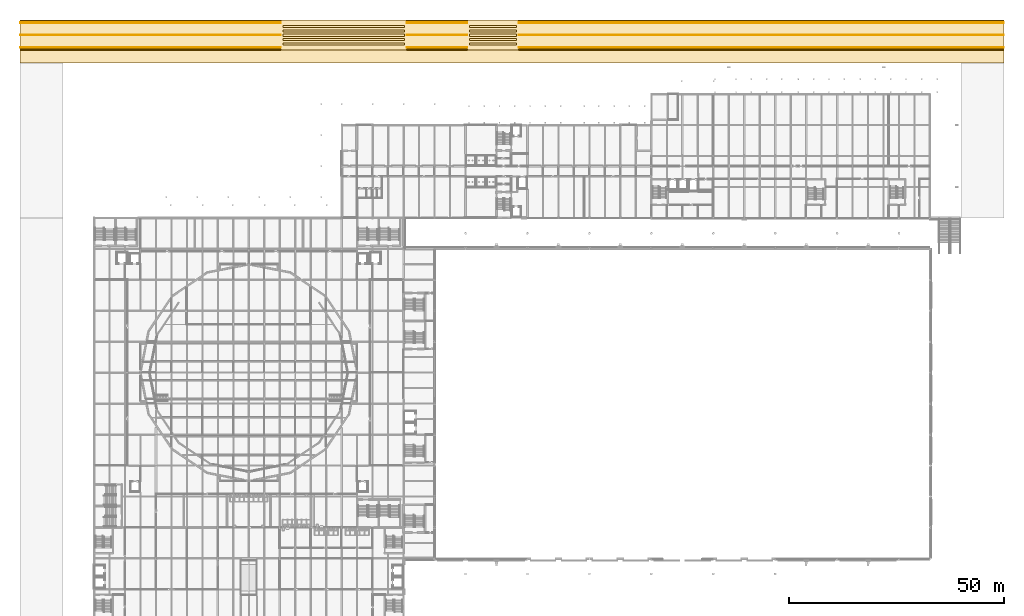
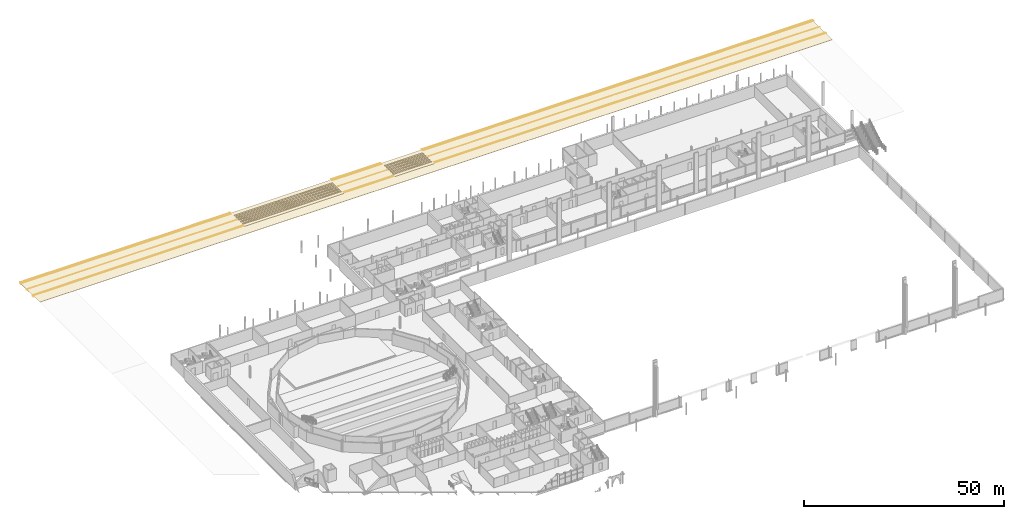
# One storey, part 87 of 90: 27 coverings.
"""IFC4 building model written with IfcOpenShell, lengths in metres."""

from ifc_helpers import new_model, si_unit, direction, frame, origin, place, context, subcontext, project, spatial, polyline, outline, extrude, material, layer, layer_set, type_object, element, save


model = new_model("IFC4")

# Units and contexts
model_context = context("Model", 3, precision=1e-05, world=origin(), true_north=direction((0.0, 1.0)))
body_context = subcontext(model_context, "Body", "Model", "MODEL_VIEW")
ifc_project = project(units=[si_unit("LENGTHUNIT", "METRE"), si_unit("AREAUNIT", "SQUARE_METRE"), si_unit("VOLUMEUNIT", "CUBIC_METRE"), si_unit("PLANEANGLEUNIT", "RADIAN"), si_unit("MASSUNIT", "GRAM", prefix="KILO")], contexts=[model_context])

# Site, building, storey
site_placement = place(None, origin())
site = spatial("IfcSite", under=ifc_project, at=site_placement, CompositionType="ELEMENT")
building_placement = place(site_placement, origin())
building = spatial("IfcBuilding", under=site, at=building_placement, Name="Kupolbacken Congress Centre", CompositionType="ELEMENT")
storey_placement = place(building_placement, frame((0.0, 0.0, 3.60009765625)))
storey = spatial("IfcBuildingStorey", under=building, at=storey_placement, Name="L01", CompositionType="ELEMENT", Elevation=3.60009765625)

# Coverings
ifc_material_1 = material(Name="Limestone cladding", Category="masonry")
ifc_layer_1 = layer(ifc_material_1, 0.02001953125)
ifc_layer_set_1 = layer_set([ifc_layer_1], Name="Limestone cladding")
covering_type_1 = type_object("IfcCoveringType", Name="GF1 limestone paving 20", PredefinedType="FLOORING", material=ifc_layer_set_1)
covering_1_placement = place(storey_placement, frame((0.0, 0.0, 3.449951171875)))
element("IfcCovering", 1, at=covering_1_placement, inside=storey, type_object=covering_type_1, Name="Street edge line", PredefinedType="FLOORING", context=body_context, shape_type="SweptSolid", body=[
    extrude(outline(polyline([(218.798095703125, 161.949951171875), (106.0, 161.949951171875), (106.0, 162.10009765625), (218.798095703125, 162.10009765625), (218.798095703125, 161.949951171875)])), origin(), (0.0, 0.0, 1.0), 0.02001953125),
])
covering_2_placement = place(storey_placement, frame((0.0, 0.0, 3.449951171875)))
element("IfcCovering", 2, at=covering_2_placement, inside=storey, type_object=covering_type_1, Name="Street edge line", PredefinedType="FLOORING", context=body_context, shape_type="SweptSolid", body=[
    extrude(outline(polyline([(79.89990234375, 161.949951171875), (79.89990234375, 162.10009765625), (94.0, 162.10009765625), (94.0, 161.949951171875), (79.89990234375, 161.949951171875)])), origin(), (0.0, 0.0, 1.0), 0.02001953125),
])
covering_3_placement = place(storey_placement, frame((0.0, 0.0, 3.449951171875)))
element("IfcCovering", 3, at=covering_3_placement, inside=storey, type_object=covering_type_1, Name="Street edge line", PredefinedType="FLOORING", context=body_context, shape_type="SweptSolid", body=[
    extrude(outline(polyline([(-9.998046875, 161.949951171875), (-9.998046875, 162.10009765625), (50.60009765625, 162.10009765625), (50.60009765625, 161.949951171875), (-9.998046875, 161.949951171875)])), origin(), (0.0, 0.0, 1.0), 0.02001953125),
])
covering_4_placement = place(storey_placement, frame((0.0, 0.0, 3.449951171875)))
element("IfcCovering", 4, at=covering_4_placement, inside=storey, type_object=covering_type_1, Name="Street edge line", PredefinedType="FLOORING", context=body_context, shape_type="SweptSolid", body=[
    extrude(outline(polyline([(218.798095703125, 167.699951171875), (106.0, 167.699951171875), (106.0, 167.85009765625), (218.798095703125, 167.85009765625), (218.798095703125, 167.699951171875)])), origin(), (0.0, 0.0, 1.0), 0.02001953125),
])
covering_5_placement = place(storey_placement, frame((0.0, 0.0, 3.449951171875)))
element("IfcCovering", 5, at=covering_5_placement, inside=storey, type_object=covering_type_1, Name="Street edge line", PredefinedType="FLOORING", context=body_context, shape_type="SweptSolid", body=[
    extrude(outline(polyline([(79.89990234375, 167.699951171875), (79.89990234375, 167.85009765625), (94.0, 167.85009765625), (94.0, 167.699951171875), (79.89990234375, 167.699951171875)])), origin(), (0.0, 0.0, 1.0), 0.02001953125),
])
covering_6_placement = place(storey_placement, frame((0.0, 0.0, 3.449951171875)))
element("IfcCovering", 6, at=covering_6_placement, inside=storey, type_object=covering_type_1, Name="Street edge line", PredefinedType="FLOORING", context=body_context, shape_type="SweptSolid", body=[
    extrude(outline(polyline([(-9.998046875, 167.699951171875), (-9.998046875, 167.85009765625), (50.60009765625, 167.85009765625), (50.60009765625, 167.699951171875), (-9.998046875, 167.699951171875)])), origin(), (0.0, 0.0, 1.0), 0.02001953125),
])
covering_7_placement = place(storey_placement, frame((0.0, 0.0, 3.449951171875)))
element("IfcCovering", 7, at=covering_7_placement, inside=storey, type_object=covering_type_1, Name="Street centre line", PredefinedType="FLOORING", context=body_context, shape_type="SweptSolid", body=[
    extrude(outline(polyline([(218.798095703125, 164.824951171875), (106.0, 164.824951171875), (106.0, 164.97509765625), (218.798095703125, 164.97509765625), (218.798095703125, 164.824951171875)])), origin(), (0.0, 0.0, 1.0), 0.02001953125),
])
covering_8_placement = place(storey_placement, frame((0.0, 0.0, 3.449951171875)))
element("IfcCovering", 8, at=covering_8_placement, inside=storey, type_object=covering_type_1, Name="Street centre line", PredefinedType="FLOORING", context=body_context, shape_type="SweptSolid", body=[
    extrude(outline(polyline([(79.89990234375, 164.824951171875), (79.89990234375, 164.97509765625), (94.0, 164.97509765625), (94.0, 164.824951171875), (79.89990234375, 164.824951171875)])), origin(), (0.0, 0.0, 1.0), 0.02001953125),
])
covering_9_placement = place(storey_placement, frame((0.0, 0.0, 3.449951171875)))
element("IfcCovering", 9, at=covering_9_placement, inside=storey, type_object=covering_type_1, Name="Street centre line", PredefinedType="FLOORING", context=body_context, shape_type="SweptSolid", body=[
    extrude(outline(polyline([(-9.998046875, 164.824951171875), (-9.998046875, 164.97509765625), (50.60009765625, 164.97509765625), (50.60009765625, 164.824951171875), (-9.998046875, 164.824951171875)])), origin(), (0.0, 0.0, 1.0), 0.02001953125),
])
covering_10_placement = place(storey_placement, frame((0.0, 0.0, 3.449951171875)))
element("IfcCovering", 10, at=covering_10_placement, inside=storey, type_object=covering_type_1, Name="Street crossing marking", PredefinedType="FLOORING", context=body_context, shape_type="SweptSolid", body=[
    extrude(outline(polyline([(79.39990234375, 162.60009765625), (51.10009765625, 162.60009765625), (51.10009765625, 163.10009765625), (79.39990234375, 163.10009765625), (79.39990234375, 162.60009765625)])), origin(), (0.0, 0.0, 1.0), 0.02001953125),
])
covering_11_placement = place(storey_placement, frame((0.0, 0.0, 3.449951171875)))
element("IfcCovering", 11, at=covering_11_placement, inside=storey, type_object=covering_type_1, Name="Street crossing marking", PredefinedType="FLOORING", context=body_context, shape_type="SweptSolid", body=[
    extrude(outline(polyline([(105.5, 162.60009765625), (94.5, 162.60009765625), (94.5, 163.10009765625), (105.5, 163.10009765625), (105.5, 162.60009765625)])), origin(), (0.0, 0.0, 1.0), 0.02001953125),
])
covering_12_placement = place(storey_placement, frame((0.0, 0.0, 3.449951171875)))
element("IfcCovering", 12, at=covering_12_placement, inside=storey, type_object=covering_type_1, Name="Street crossing marking", PredefinedType="FLOORING", context=body_context, shape_type="SweptSolid", body=[
    extrude(outline(polyline([(79.39990234375, 163.60009765625), (51.10009765625, 163.60009765625), (51.10009765625, 164.10009765625), (79.39990234375, 164.10009765625), (79.39990234375, 163.60009765625)])), origin(), (0.0, 0.0, 1.0), 0.02001953125),
])
covering_13_placement = place(storey_placement, frame((0.0, 0.0, 3.449951171875)))
element("IfcCovering", 13, at=covering_13_placement, inside=storey, type_object=covering_type_1, Name="Street crossing marking", PredefinedType="FLOORING", context=body_context, shape_type="SweptSolid", body=[
    extrude(outline(polyline([(94.5, 163.60009765625), (94.5, 164.10009765625), (105.5, 164.10009765625), (105.5, 163.60009765625), (94.5, 163.60009765625)])), origin(), (0.0, 0.0, 1.0), 0.02001953125),
])
covering_14_placement = place(storey_placement, frame((0.0, 0.0, 3.449951171875)))
element("IfcCovering", 14, at=covering_14_placement, inside=storey, type_object=covering_type_1, Name="Street crossing marking", PredefinedType="FLOORING", context=body_context, shape_type="SweptSolid", body=[
    extrude(outline(polyline([(51.10009765625, 164.60009765625), (51.10009765625, 165.10009765625), (79.39990234375, 165.10009765625), (79.39990234375, 164.60009765625), (51.10009765625, 164.60009765625)])), origin(), (0.0, 0.0, 1.0), 0.02001953125),
])
covering_15_placement = place(storey_placement, frame((0.0, 0.0, 3.449951171875)))
element("IfcCovering", 15, at=covering_15_placement, inside=storey, type_object=covering_type_1, Name="Street crossing marking", PredefinedType="FLOORING", context=body_context, shape_type="SweptSolid", body=[
    extrude(outline(polyline([(105.5, 164.60009765625), (94.5, 164.60009765625), (94.5, 165.10009765625), (105.5, 165.10009765625), (105.5, 164.60009765625)])), origin(), (0.0, 0.0, 1.0), 0.02001953125),
])
covering_16_placement = place(storey_placement, frame((0.0, 0.0, 3.449951171875)))
element("IfcCovering", 16, at=covering_16_placement, inside=storey, type_object=covering_type_1, Name="Street crossing marking", PredefinedType="FLOORING", context=body_context, shape_type="SweptSolid", body=[
    extrude(outline(polyline([(79.39990234375, 165.60009765625), (51.10009765625, 165.60009765625), (51.10009765625, 166.10009765625), (79.39990234375, 166.10009765625), (79.39990234375, 165.60009765625)])), origin(), (0.0, 0.0, 1.0), 0.02001953125),
])
covering_17_placement = place(storey_placement, frame((0.0, 0.0, 3.449951171875)))
element("IfcCovering", 17, at=covering_17_placement, inside=storey, type_object=covering_type_1, Name="Street crossing marking", PredefinedType="FLOORING", context=body_context, shape_type="SweptSolid", body=[
    extrude(outline(polyline([(105.5, 165.60009765625), (94.5, 165.60009765625), (94.5, 166.10009765625), (105.5, 166.10009765625), (105.5, 165.60009765625)])), origin(), (0.0, 0.0, 1.0), 0.02001953125),
])
covering_18_placement = place(storey_placement, frame((0.0, 0.0, 3.449951171875)))
element("IfcCovering", 18, at=covering_18_placement, inside=storey, type_object=covering_type_1, Name="Street crossing marking", PredefinedType="FLOORING", context=body_context, shape_type="SweptSolid", body=[
    extrude(outline(polyline([(51.10009765625, 166.60009765625), (51.10009765625, 167.10009765625), (79.39990234375, 167.10009765625), (79.39990234375, 166.60009765625), (51.10009765625, 166.60009765625)])), origin(), (0.0, 0.0, 1.0), 0.02001953125),
])
covering_19_placement = place(storey_placement, frame((0.0, 0.0, 3.449951171875)))
element("IfcCovering", 19, at=covering_19_placement, inside=storey, type_object=covering_type_1, Name="Street crossing marking", PredefinedType="FLOORING", context=body_context, shape_type="SweptSolid", body=[
    extrude(outline(polyline([(94.5, 166.60009765625), (94.5, 167.10009765625), (105.5, 167.10009765625), (105.5, 166.60009765625), (94.5, 166.60009765625)])), origin(), (0.0, 0.0, 1.0), 0.02001953125),
])
ifc_material_2 = material(Name="Granite setts", Category="masonry")
ifc_layer_2 = layer(ifc_material_2, 0.10009765625)
ifc_layer_set_2 = layer_set([ifc_layer_2], Name="Granite setts")
covering_type_2 = type_object("IfcCoveringType", Name="GR3 granite sett paving 100", PredefinedType="FLOORING", material=ifc_layer_set_2)
covering_20_placement = place(storey_placement, frame((0.0, 0.0, 3.5)))
element("IfcCovering", 20, at=covering_20_placement, inside=storey, type_object=covering_type_2, Name="Footway paving, upper street footway", PredefinedType="FLOORING", context=body_context, shape_type="SweptSolid", body=[
    extrude(outline(polyline([(-10.0, 158.39990234375), (-10.0, 161.39990234375), (218.800048828125, 161.39990234375), (218.800048828125, 158.39990234375), (208.800048828125, 158.39990234375), (0.0, 158.39990234375), (-10.0, 158.39990234375)])), origin(), (0.0, 0.0, 1.0), 0.099853515625),
])
covering_21_placement = place(storey_placement, frame((0.0, 0.0, 3.449951171875)))
element("IfcCovering", 21, at=covering_21_placement, inside=storey, type_object=covering_type_2, Name="Street granite kerb", PredefinedType="FLOORING", context=body_context, shape_type="SweptSolid", body=[
    extrude(outline(polyline([(218.798095703125, 161.402099609375), (106.0, 161.402099609375), (106.0, 161.64990234375), (218.798095703125, 161.64990234375), (218.798095703125, 161.402099609375)])), origin(), (0.0, 0.0, 1.0), 0.099853515625),
])
covering_22_placement = place(storey_placement, frame((0.0, 0.0, 3.449951171875)))
element("IfcCovering", 22, at=covering_22_placement, inside=storey, type_object=covering_type_2, Name="Street granite kerb", PredefinedType="FLOORING", context=body_context, shape_type="SweptSolid", body=[
    extrude(outline(polyline([(79.89990234375, 161.402099609375), (79.89990234375, 161.64990234375), (94.0, 161.64990234375), (94.0, 161.402099609375), (79.89990234375, 161.402099609375)])), origin(), (0.0, 0.0, 1.0), 0.099853515625),
])
covering_23_placement = place(storey_placement, frame((0.0, 0.0, 3.449951171875)))
element("IfcCovering", 23, at=covering_23_placement, inside=storey, type_object=covering_type_2, Name="Street granite kerb", PredefinedType="FLOORING", context=body_context, shape_type="SweptSolid", body=[
    extrude(outline(polyline([(-9.998046875, 161.402099609375), (-9.998046875, 161.64990234375), (50.60009765625, 161.64990234375), (50.60009765625, 161.402099609375), (-9.998046875, 161.402099609375)])), origin(), (0.0, 0.0, 1.0), 0.099853515625),
])
covering_24_placement = place(storey_placement, frame((0.0, 0.0, 3.449951171875)))
element("IfcCovering", 24, at=covering_24_placement, inside=storey, type_object=covering_type_2, Name="Street granite kerb", PredefinedType="FLOORING", context=body_context, shape_type="SweptSolid", body=[
    extrude(outline(polyline([(-9.998046875, 168.39794921875), (50.60009765625, 168.39794921875), (50.60009765625, 168.14990234375), (-9.998046875, 168.14990234375), (-9.998046875, 168.39794921875)])), origin(), (0.0, 0.0, 1.0), 0.099853515625),
])
covering_25_placement = place(storey_placement, frame((0.0, 0.0, 3.449951171875)))
element("IfcCovering", 25, at=covering_25_placement, inside=storey, type_object=covering_type_2, Name="Street granite kerb", PredefinedType="FLOORING", context=body_context, shape_type="SweptSolid", body=[
    extrude(outline(polyline([(94.0, 168.39794921875), (94.0, 168.14990234375), (79.89990234375, 168.14990234375), (79.89990234375, 168.39794921875), (94.0, 168.39794921875)])), origin(), (0.0, 0.0, 1.0), 0.099853515625),
])
covering_26_placement = place(storey_placement, frame((0.0, 0.0, 3.449951171875)))
element("IfcCovering", 26, at=covering_26_placement, inside=storey, type_object=covering_type_2, Name="Street granite kerb", PredefinedType="FLOORING", context=body_context, shape_type="SweptSolid", body=[
    extrude(outline(polyline([(218.798095703125, 168.39794921875), (218.798095703125, 168.14990234375), (106.0, 168.14990234375), (106.0, 168.39794921875), (218.798095703125, 168.39794921875)])), origin(), (0.0, 0.0, 1.0), 0.099853515625),
])
ifc_material_3 = material(Name="Asphalt", Category="masonry")
ifc_layer_3 = layer(ifc_material_3, 0.10009765625)
ifc_layer_set_3 = layer_set([ifc_layer_3], Name="Asphalt")
covering_type_3 = type_object("IfcCoveringType", Name="GR4 asphalt carriageway 100", PredefinedType="FLOORING", material=ifc_layer_set_3)
covering_27_placement = place(storey_placement, frame((0.0, 0.0, 3.349853515625)))
element("IfcCovering", 27, at=covering_27_placement, inside=storey, type_object=covering_type_3, Name="Carriageway, upper street carriageway", PredefinedType="FLOORING", context=body_context, shape_type="SweptSolid", body=[
    extrude(outline(polyline([(-10.0, 161.39990234375), (-10.0, 168.39990234375), (218.800048828125, 168.39990234375), (218.800048828125, 161.39990234375), (-10.0, 161.39990234375)])), origin(), (0.0, 0.0, 1.0), 0.10009765625),
])

save(model, "model.ifc")
